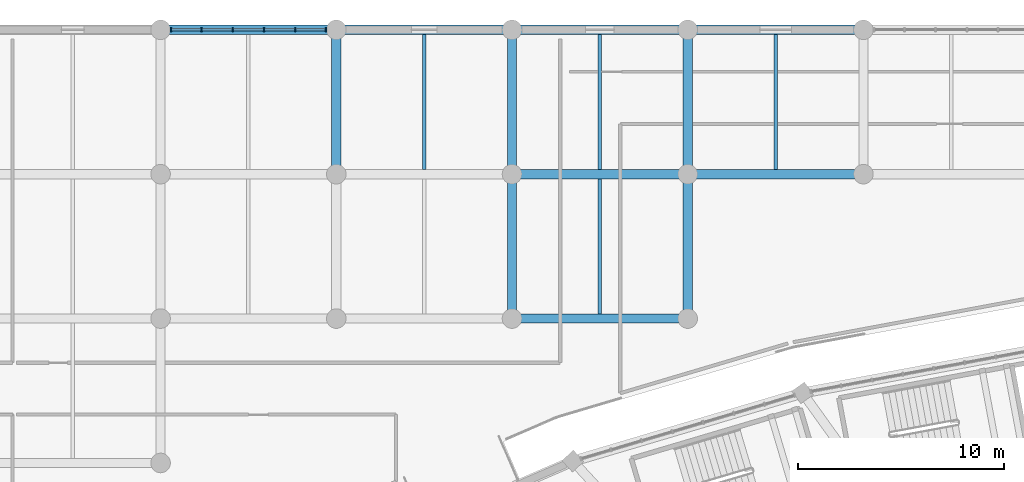
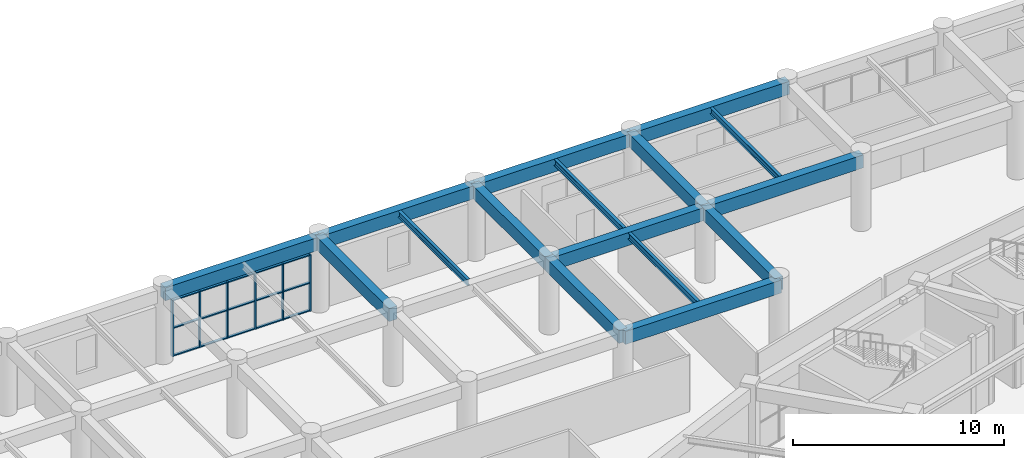
# One storey, part 54 of 141: 21 members, 16 beams, 1 element without a shape of its own.
"""IFC4 building model written with IfcOpenShell, lengths in metres."""

from ifc_helpers import new_model, si_unit, direction, frame, origin, origin_2d, place, context, subcontext, project, spatial, rectangle, i_section, extrude, material, layer, layer_set, material_profile, profile_set, type_object, element, aggregate, save


model = new_model("IFC4")

# Units and contexts
model_context = context("Model", 3, precision=1e-05, world=origin(), true_north=direction((0.0, 1.0)))
body_context = subcontext(model_context, "Body", "Model", "MODEL_VIEW")
ifc_project = project(units=[si_unit("LENGTHUNIT", "METRE"), si_unit("AREAUNIT", "SQUARE_METRE"), si_unit("VOLUMEUNIT", "CUBIC_METRE"), si_unit("PLANEANGLEUNIT", "RADIAN"), si_unit("MASSUNIT", "GRAM", prefix="KILO")], contexts=[model_context])

# Site, building, storey
site_placement = place(None, origin())
site = spatial("IfcSite", under=ifc_project, at=site_placement, CompositionType="ELEMENT")
building_placement = place(site_placement, origin())
building = spatial("IfcBuilding", under=site, at=building_placement, Name="Mphavela Belvedere Stadium", CompositionType="ELEMENT")
storey_placement = place(building_placement, frame((0.0, 0.0, 14.699951171875)))
storey = spatial("IfcBuildingStorey", under=building, at=storey_placement, Name="L03", CompositionType="ELEMENT", Elevation=14.699951171875)

# Beams
ifc_material_1 = material(Name="Steel S355", Category="steel")
ifc_material_profile_1 = material_profile(ifc_material_1, i_section(OverallWidth=0.169921875, OverallDepth=0.360107421875, WebThickness=0.008056640625, FlangeThickness=0.0126953125, at=origin_2d()), Name="IPE 360")
ifc_profile_set_1 = profile_set([ifc_material_profile_1], Name="Steel S355")
beam_type_1 = type_object("IfcBeamType", Name="BM-JOIST-IPE360", PredefinedType="JOIST", material=ifc_profile_set_1)
for number, where, z_axis, x_axis, name in (
    (1, (46.85205078125, 167.22509765625, 4.06005859375), (0.0, 1.0, 0.0), (-1.0, 0.0, 0.0), "North Mast and Ceremonial End Forecourt secondary joist L03 6-7"),
    (2, (55.37060546875, 160.22509765625, 4.06005859375), (0.0, 1.0, 0.0), (-1.0, 0.0, 0.0), "North Mast and Ceremonial End Forecourt secondary joist L03 7-6"),
    (3, (55.37060546875, 167.22509765625, 4.06005859375), (0.0, 1.0, 0.0), (-1.0, 0.0, 0.0), "North Mast and Ceremonial End Forecourt secondary joist L03 7-7"),
    (4, (63.888916015625, 167.22509765625, 4.06005859375), (0.0, 1.0, 0.0), (-1.0, 0.0, 0.0), "North Mast and Ceremonial End Forecourt secondary joist L03 8-7"),
):
    element("IfcBeam", number, at=place(storey_placement, frame(where, z_axis=z_axis, x_axis=x_axis)), inside=storey, type_object=beam_type_1, Name=name, PredefinedType="JOIST", context=body_context, shape_type="SweptSolid", body=[
        extrude(i_section(OverallWidth=0.169921875, OverallDepth=0.360107421875, WebThickness=0.008056640625, FlangeThickness=0.0126953125, at=origin_2d()), origin(), (0.0, 0.0, 1.0), 6.5498046875),
    ])
ifc_material_2 = material(Name="Concrete C40/50", Category="concrete")
ifc_material_profile_2 = material_profile(ifc_material_2, rectangle(XDim=0.449951171875, YDim=0.75, at=origin_2d()), Name="RC 450x750")
ifc_profile_set_2 = profile_set([ifc_material_profile_2], Name="Concrete C40/50")
beam_type_2 = type_object("IfcBeamType", Name="BM-RC450x750", PredefinedType="BEAM", material=ifc_profile_set_2)
beam_1_placement = place(storey_placement, frame((34.073974609375, 174.0, 3.864990234375), z_axis=(1.0, 0.0, 0.0), x_axis=(0.0, 1.0, 0.0)))
element("IfcBeam", 5, at=beam_1_placement, inside=storey, type_object=beam_type_2, Name="North Mast and Ceremonial End Forecourt entablature beam X L03 5-8", PredefinedType="BEAM", context=body_context, shape_type="SweptSolid", body=[
    extrude(rectangle(XDim=0.449951171875, YDim=0.75, at=origin_2d()), origin(), (0.0, 0.0, 1.0), 8.51904296875),
])
beam_2_placement = place(storey_placement, frame((42.593017578125, 167.0, 3.864990234375), z_axis=(0.0, 1.0, 0.0), x_axis=(-1.0, 0.0, 0.0)))
element("IfcBeam", 6, at=beam_2_placement, inside=storey, type_object=beam_type_2, Name="North Mast and Ceremonial End Forecourt entablature beam Y L03 6-7", PredefinedType="BEAM", context=body_context, shape_type="SweptSolid", body=[
    extrude(rectangle(XDim=0.449951171875, YDim=0.75, at=origin_2d()), origin(), (0.0, 0.0, 1.0), 7.0),
])
beam_3_placement = place(storey_placement, frame((42.593017578125, 174.0, 3.864990234375), z_axis=(1.0, 0.0, 0.0), x_axis=(0.0, 1.0, 0.0)))
element("IfcBeam", 7, at=beam_3_placement, inside=storey, type_object=beam_type_2, Name="North Mast and Ceremonial End Forecourt entablature beam X L03 6-8", PredefinedType="BEAM", context=body_context, shape_type="SweptSolid", body=[
    extrude(rectangle(XDim=0.449951171875, YDim=0.75, at=origin_2d()), origin(), (0.0, 0.0, 1.0), 8.51806640625),
])
beam_4_placement = place(storey_placement, frame((51.111083984375, 160.0, 3.864990234375), z_axis=(1.0, 0.0, 0.0), x_axis=(0.0, 1.0, 0.0)))
element("IfcBeam", 8, at=beam_4_placement, inside=storey, type_object=beam_type_2, Name="North Mast and Ceremonial End Forecourt entablature beam X L03 7-6", PredefinedType="BEAM", context=body_context, shape_type="SweptSolid", body=[
    extrude(rectangle(XDim=0.449951171875, YDim=0.75, at=origin_2d()), origin(), (0.0, 0.0, 1.0), 8.518798828125),
])
beam_5_placement = place(storey_placement, frame((51.111083984375, 160.0, 3.864990234375), z_axis=(0.0, 1.0, 0.0), x_axis=(-1.0, 0.0, 0.0)))
element("IfcBeam", 9, at=beam_5_placement, inside=storey, type_object=beam_type_2, Name="North Mast and Ceremonial End Forecourt entablature beam Y L03 7-6", PredefinedType="BEAM", context=body_context, shape_type="SweptSolid", body=[
    extrude(rectangle(XDim=0.449951171875, YDim=0.75, at=origin_2d()), origin(), (0.0, 0.0, 1.0), 7.0),
])
beam_6_placement = place(storey_placement, frame((51.111083984375, 167.0, 3.864990234375), z_axis=(1.0, 0.0, 0.0), x_axis=(0.0, 1.0, 0.0)))
element("IfcBeam", 10, at=beam_6_placement, inside=storey, type_object=beam_type_2, Name="North Mast and Ceremonial End Forecourt entablature beam X L03 7-7", PredefinedType="BEAM", context=body_context, shape_type="SweptSolid", body=[
    extrude(rectangle(XDim=0.449951171875, YDim=0.75, at=origin_2d()), origin(), (0.0, 0.0, 1.0), 8.518798828125),
])
beam_7_placement = place(storey_placement, frame((51.111083984375, 167.0, 3.864990234375), z_axis=(0.0, 1.0, 0.0), x_axis=(-1.0, 0.0, 0.0)))
element("IfcBeam", 11, at=beam_7_placement, inside=storey, type_object=beam_type_2, Name="North Mast and Ceremonial End Forecourt entablature beam Y L03 7-7", PredefinedType="BEAM", context=body_context, shape_type="SweptSolid", body=[
    extrude(rectangle(XDim=0.449951171875, YDim=0.75, at=origin_2d()), origin(), (0.0, 0.0, 1.0), 7.0),
])
beam_8_placement = place(storey_placement, frame((51.111083984375, 174.0, 3.864990234375), z_axis=(1.0, 0.0, 0.0), x_axis=(0.0, 1.0, 0.0)))
element("IfcBeam", 12, at=beam_8_placement, inside=storey, type_object=beam_type_2, Name="North Mast and Ceremonial End Forecourt entablature beam X L03 7-8", PredefinedType="BEAM", context=body_context, shape_type="SweptSolid", body=[
    extrude(rectangle(XDim=0.449951171875, YDim=0.75, at=origin_2d()), origin(), (0.0, 0.0, 1.0), 8.518798828125),
])
beam_9_placement = place(storey_placement, frame((59.6298828125, 160.0, 3.864990234375), z_axis=(0.0, 1.0, 0.0), x_axis=(-1.0, 0.0, 0.0)))
element("IfcBeam", 13, at=beam_9_placement, inside=storey, type_object=beam_type_2, Name="North Mast and Ceremonial End Forecourt entablature beam Y L03 8-6", PredefinedType="BEAM", context=body_context, shape_type="SweptSolid", body=[
    extrude(rectangle(XDim=0.449951171875, YDim=0.75, at=origin_2d()), origin(), (0.0, 0.0, 1.0), 7.0),
])
beam_10_placement = place(storey_placement, frame((59.6298828125, 167.0, 3.864990234375), z_axis=(1.0, 0.0, 0.0), x_axis=(0.0, 1.0, 0.0)))
element("IfcBeam", 14, at=beam_10_placement, inside=storey, type_object=beam_type_2, Name="North Mast and Ceremonial End Forecourt entablature beam X L03 8-7", PredefinedType="BEAM", context=body_context, shape_type="SweptSolid", body=[
    extrude(rectangle(XDim=0.449951171875, YDim=0.75, at=origin_2d()), origin(), (0.0, 0.0, 1.0), 8.51806640625),
])
beam_11_placement = place(storey_placement, frame((59.6298828125, 167.0, 3.864990234375), z_axis=(0.0, 1.0, 0.0), x_axis=(-1.0, 0.0, 0.0)))
element("IfcBeam", 15, at=beam_11_placement, inside=storey, type_object=beam_type_2, Name="North Mast and Ceremonial End Forecourt entablature beam Y L03 8-7", PredefinedType="BEAM", context=body_context, shape_type="SweptSolid", body=[
    extrude(rectangle(XDim=0.449951171875, YDim=0.75, at=origin_2d()), origin(), (0.0, 0.0, 1.0), 7.0),
])
beam_12_placement = place(storey_placement, frame((59.6298828125, 174.0, 3.864990234375), z_axis=(1.0, 0.0, 0.0), x_axis=(0.0, 1.0, 0.0)))
element("IfcBeam", 16, at=beam_12_placement, inside=storey, type_object=beam_type_2, Name="North Mast and Ceremonial End Forecourt entablature beam X L03 8-8", PredefinedType="BEAM", context=body_context, shape_type="SweptSolid", body=[
    extrude(rectangle(XDim=0.449951171875, YDim=0.75, at=origin_2d()), origin(), (0.0, 0.0, 1.0), 8.51806640625),
])

# Curtain wall, members
ifc_material_3 = material(Name="Anodised bronze unitised curtain wall framing")
ifc_layer = layer(ifc_material_3, 0.179931640625)
ifc_layer_set = layer_set([ifc_layer], Name="Anodised bronze unitised curtain wall framing")
curtain_wall_type = type_object("IfcCurtainWallType", Name="CW-UNIT-01", PredefinedType="USERDEFINED", material=ifc_layer_set)
curtain_wall_placement = place(storey_placement, origin())
curtain_wall = element("IfcCurtainWall", 17, at=curtain_wall_placement, inside=storey, type_object=curtain_wall_type, Name="North Mast and Ceremonial End Forecourt gallery curtain wall L03-05", ObjectType="UNITISED CURTAIN WALL", PredefinedType="USERDEFINED")
ifc_material_4 = material(Name="Anodised bronze extruded aluminium", Category="aluminium")
ifc_material_profile_3 = material_profile(ifc_material_4, rectangle(XDim=0.179931640625, YDim=0.06494140625, at=origin_2d()), Name="CW-MUL 180x65")
ifc_profile_set_3 = profile_set([ifc_material_profile_3], Name="Anodised bronze extruded aluminium")
member_type_1 = type_object("IfcMemberType", Name="CWM-180x65", PredefinedType="MULLION", material=ifc_profile_set_3)
member_1_placement = place(storey_placement, frame((34.57958984375, 174.0, 0.0), z_axis=(0.0, 0.0, 1.0), x_axis=(0.0, 1.0, 0.0)))
member_1 = element("IfcMember", 18, at=member_1_placement, type_object=member_type_1, Name="CW-01 mullion 1", PredefinedType="MULLION", context=body_context, shape_type="SweptSolid", body=[
    extrude(rectangle(XDim=0.179931640625, YDim=0.06494140625, at=origin_2d()), origin(), (0.0, 0.0, 1.0), 3.260009765625),
])
member_2_placement = place(storey_placement, frame((36.0615234375, 174.0, 0.0), z_axis=(0.0, 0.0, 1.0), x_axis=(0.0, 1.0, 0.0)))
member_2 = element("IfcMember", 19, at=member_2_placement, type_object=member_type_1, Name="CW-01 mullion 2", PredefinedType="MULLION", context=body_context, shape_type="SweptSolid", body=[
    extrude(rectangle(XDim=0.179931640625, YDim=0.06494140625, at=origin_2d()), origin(), (0.0, 0.0, 1.0), 3.260009765625),
])
member_3_placement = place(storey_placement, frame((37.576171875, 174.0, 0.0), z_axis=(0.0, 0.0, 1.0), x_axis=(0.0, 1.0, 0.0)))
member_3 = element("IfcMember", 20, at=member_3_placement, type_object=member_type_1, Name="CW-01 mullion 3", PredefinedType="MULLION", context=body_context, shape_type="SweptSolid", body=[
    extrude(rectangle(XDim=0.179931640625, YDim=0.06494140625, at=origin_2d()), origin(), (0.0, 0.0, 1.0), 3.260009765625),
])
member_4_placement = place(storey_placement, frame((39.0908203125, 174.0, 0.0), z_axis=(0.0, 0.0, 1.0), x_axis=(0.0, 1.0, 0.0)))
member_4 = element("IfcMember", 21, at=member_4_placement, type_object=member_type_1, Name="CW-01 mullion 4", PredefinedType="MULLION", context=body_context, shape_type="SweptSolid", body=[
    extrude(rectangle(XDim=0.179931640625, YDim=0.06494140625, at=origin_2d()), origin(), (0.0, 0.0, 1.0), 3.260009765625),
])
member_5_placement = place(storey_placement, frame((40.60546875, 174.0, 0.0), z_axis=(0.0, 0.0, 1.0), x_axis=(0.0, 1.0, 0.0)))
member_5 = element("IfcMember", 22, at=member_5_placement, type_object=member_type_1, Name="CW-01 mullion 5", PredefinedType="MULLION", context=body_context, shape_type="SweptSolid", body=[
    extrude(rectangle(XDim=0.179931640625, YDim=0.06494140625, at=origin_2d()), origin(), (0.0, 0.0, 1.0), 3.260009765625),
])
member_6_placement = place(storey_placement, frame((42.08740234375, 174.0, 0.0), z_axis=(0.0, 0.0, 1.0), x_axis=(0.0, 1.0, 0.0)))
member_6 = element("IfcMember", 23, at=member_6_placement, type_object=member_type_1, Name="CW-01 mullion 6", PredefinedType="MULLION", context=body_context, shape_type="SweptSolid", body=[
    extrude(rectangle(XDim=0.179931640625, YDim=0.06494140625, at=origin_2d()), origin(), (0.0, 0.0, 1.0), 3.260009765625),
])
ifc_material_5 = material(Name="Anodised bronze extruded aluminium", Category="aluminium")
ifc_material_profile_4 = material_profile(ifc_material_5, rectangle(XDim=0.139892578125, YDim=0.06005859375, at=origin_2d()), Name="CW-TRN 140x60")
ifc_profile_set_4 = profile_set([ifc_material_profile_4], Name="Anodised bronze extruded aluminium")
member_type_2 = type_object("IfcMemberType", Name="CWT-140x60", PredefinedType="USERDEFINED", material=ifc_profile_set_4)
member_7_placement = place(storey_placement, frame((34.612060546875, 174.0, 0.030029296875), z_axis=(1.0, 0.0, 0.0), x_axis=(0.0, 1.0, 0.0)))
member_7 = element("IfcMember", 24, at=member_7_placement, type_object=member_type_2, Name="CW-01 transom 1.1", ObjectType="TRANSOM", PredefinedType="USERDEFINED", context=body_context, shape_type="SweptSolid", body=[
    extrude(rectangle(XDim=0.139892578125, YDim=0.06005859375, at=origin_2d()), origin(), (0.0, 0.0, 1.0), 1.4169921875),
])
member_8_placement = place(storey_placement, frame((34.612060546875, 174.0, 1.630126953125), z_axis=(1.0, 0.0, 0.0), x_axis=(0.0, 1.0, 0.0)))
member_8 = element("IfcMember", 25, at=member_8_placement, type_object=member_type_2, Name="CW-01 transom 1.2", ObjectType="TRANSOM", PredefinedType="USERDEFINED", context=body_context, shape_type="SweptSolid", body=[
    extrude(rectangle(XDim=0.139892578125, YDim=0.06005859375, at=origin_2d()), origin(), (0.0, 0.0, 1.0), 1.4169921875),
])
member_9_placement = place(storey_placement, frame((34.612060546875, 174.0, 3.22998046875), z_axis=(1.0, 0.0, 0.0), x_axis=(0.0, 1.0, 0.0)))
member_9 = element("IfcMember", 26, at=member_9_placement, type_object=member_type_2, Name="CW-01 transom 1.3", ObjectType="TRANSOM", PredefinedType="USERDEFINED", context=body_context, shape_type="SweptSolid", body=[
    extrude(rectangle(XDim=0.139892578125, YDim=0.06005859375, at=origin_2d()), origin(), (0.0, 0.0, 1.0), 1.4169921875),
])
member_10_placement = place(storey_placement, frame((36.093994140625, 174.0, 0.030029296875), z_axis=(1.0, 0.0, 0.0), x_axis=(0.0, 1.0, 0.0)))
member_10 = element("IfcMember", 27, at=member_10_placement, type_object=member_type_2, Name="CW-01 transom 2.1", ObjectType="TRANSOM", PredefinedType="USERDEFINED", context=body_context, shape_type="SweptSolid", body=[
    extrude(rectangle(XDim=0.139892578125, YDim=0.06005859375, at=origin_2d()), origin(), (0.0, 0.0, 1.0), 1.44970703125),
])
member_11_placement = place(storey_placement, frame((36.093994140625, 174.0, 1.630126953125), z_axis=(1.0, 0.0, 0.0), x_axis=(0.0, 1.0, 0.0)))
member_11 = element("IfcMember", 28, at=member_11_placement, type_object=member_type_2, Name="CW-01 transom 2.2", ObjectType="TRANSOM", PredefinedType="USERDEFINED", context=body_context, shape_type="SweptSolid", body=[
    extrude(rectangle(XDim=0.139892578125, YDim=0.06005859375, at=origin_2d()), origin(), (0.0, 0.0, 1.0), 1.44970703125),
])
member_12_placement = place(storey_placement, frame((36.093994140625, 174.0, 3.22998046875), z_axis=(1.0, 0.0, 0.0), x_axis=(0.0, 1.0, 0.0)))
member_12 = element("IfcMember", 29, at=member_12_placement, type_object=member_type_2, Name="CW-01 transom 2.3", ObjectType="TRANSOM", PredefinedType="USERDEFINED", context=body_context, shape_type="SweptSolid", body=[
    extrude(rectangle(XDim=0.139892578125, YDim=0.06005859375, at=origin_2d()), origin(), (0.0, 0.0, 1.0), 1.44970703125),
])
member_13_placement = place(storey_placement, frame((37.608642578125, 174.0, 0.030029296875), z_axis=(1.0, 0.0, 0.0), x_axis=(0.0, 1.0, 0.0)))
member_13 = element("IfcMember", 30, at=member_13_placement, type_object=member_type_2, Name="CW-01 transom 3.1", ObjectType="TRANSOM", PredefinedType="USERDEFINED", context=body_context, shape_type="SweptSolid", body=[
    extrude(rectangle(XDim=0.139892578125, YDim=0.06005859375, at=origin_2d()), origin(), (0.0, 0.0, 1.0), 1.44970703125),
])
member_14_placement = place(storey_placement, frame((37.608642578125, 174.0, 1.630126953125), z_axis=(1.0, 0.0, 0.0), x_axis=(0.0, 1.0, 0.0)))
member_14 = element("IfcMember", 31, at=member_14_placement, type_object=member_type_2, Name="CW-01 transom 3.2", ObjectType="TRANSOM", PredefinedType="USERDEFINED", context=body_context, shape_type="SweptSolid", body=[
    extrude(rectangle(XDim=0.139892578125, YDim=0.06005859375, at=origin_2d()), origin(), (0.0, 0.0, 1.0), 1.44970703125),
])
member_15_placement = place(storey_placement, frame((37.608642578125, 174.0, 3.22998046875), z_axis=(1.0, 0.0, 0.0), x_axis=(0.0, 1.0, 0.0)))
member_15 = element("IfcMember", 32, at=member_15_placement, type_object=member_type_2, Name="CW-01 transom 3.3", ObjectType="TRANSOM", PredefinedType="USERDEFINED", context=body_context, shape_type="SweptSolid", body=[
    extrude(rectangle(XDim=0.139892578125, YDim=0.06005859375, at=origin_2d()), origin(), (0.0, 0.0, 1.0), 1.44970703125),
])
member_16_placement = place(storey_placement, frame((39.123291015625, 174.0, 0.030029296875), z_axis=(1.0, 0.0, 0.0), x_axis=(0.0, 1.0, 0.0)))
member_16 = element("IfcMember", 33, at=member_16_placement, type_object=member_type_2, Name="CW-01 transom 4.1", ObjectType="TRANSOM", PredefinedType="USERDEFINED", context=body_context, shape_type="SweptSolid", body=[
    extrude(rectangle(XDim=0.139892578125, YDim=0.06005859375, at=origin_2d()), origin(), (0.0, 0.0, 1.0), 1.44970703125),
])
member_17_placement = place(storey_placement, frame((39.123291015625, 174.0, 1.630126953125), z_axis=(1.0, 0.0, 0.0), x_axis=(0.0, 1.0, 0.0)))
member_17 = element("IfcMember", 34, at=member_17_placement, type_object=member_type_2, Name="CW-01 transom 4.2", ObjectType="TRANSOM", PredefinedType="USERDEFINED", context=body_context, shape_type="SweptSolid", body=[
    extrude(rectangle(XDim=0.139892578125, YDim=0.06005859375, at=origin_2d()), origin(), (0.0, 0.0, 1.0), 1.44970703125),
])
member_18_placement = place(storey_placement, frame((39.123291015625, 174.0, 3.22998046875), z_axis=(1.0, 0.0, 0.0), x_axis=(0.0, 1.0, 0.0)))
member_18 = element("IfcMember", 35, at=member_18_placement, type_object=member_type_2, Name="CW-01 transom 4.3", ObjectType="TRANSOM", PredefinedType="USERDEFINED", context=body_context, shape_type="SweptSolid", body=[
    extrude(rectangle(XDim=0.139892578125, YDim=0.06005859375, at=origin_2d()), origin(), (0.0, 0.0, 1.0), 1.44970703125),
])
member_19_placement = place(storey_placement, frame((40.637939453125, 174.0, 0.030029296875), z_axis=(1.0, 0.0, 0.0), x_axis=(0.0, 1.0, 0.0)))
member_19 = element("IfcMember", 36, at=member_19_placement, type_object=member_type_2, Name="CW-01 transom 5.1", ObjectType="TRANSOM", PredefinedType="USERDEFINED", context=body_context, shape_type="SweptSolid", body=[
    extrude(rectangle(XDim=0.139892578125, YDim=0.06005859375, at=origin_2d()), origin(), (0.0, 0.0, 1.0), 1.4169921875),
])
member_20_placement = place(storey_placement, frame((40.637939453125, 174.0, 1.630126953125), z_axis=(1.0, 0.0, 0.0), x_axis=(0.0, 1.0, 0.0)))
member_20 = element("IfcMember", 37, at=member_20_placement, type_object=member_type_2, Name="CW-01 transom 5.2", ObjectType="TRANSOM", PredefinedType="USERDEFINED", context=body_context, shape_type="SweptSolid", body=[
    extrude(rectangle(XDim=0.139892578125, YDim=0.06005859375, at=origin_2d()), origin(), (0.0, 0.0, 1.0), 1.4169921875),
])
member_21_placement = place(storey_placement, frame((40.637939453125, 174.0, 3.22998046875), z_axis=(1.0, 0.0, 0.0), x_axis=(0.0, 1.0, 0.0)))
member_21 = element("IfcMember", 38, at=member_21_placement, type_object=member_type_2, Name="CW-01 transom 5.3", ObjectType="TRANSOM", PredefinedType="USERDEFINED", context=body_context, shape_type="SweptSolid", body=[
    extrude(rectangle(XDim=0.139892578125, YDim=0.06005859375, at=origin_2d()), origin(), (0.0, 0.0, 1.0), 1.4169921875),
])
aggregate(curtain_wall, [member_1, member_2, member_3, member_4, member_5, member_6, member_7, member_8, member_9, member_10, member_11, member_12, member_13, member_14, member_15, member_16, member_17, member_18, member_19, member_20, member_21])

save(model, "model.ifc")
